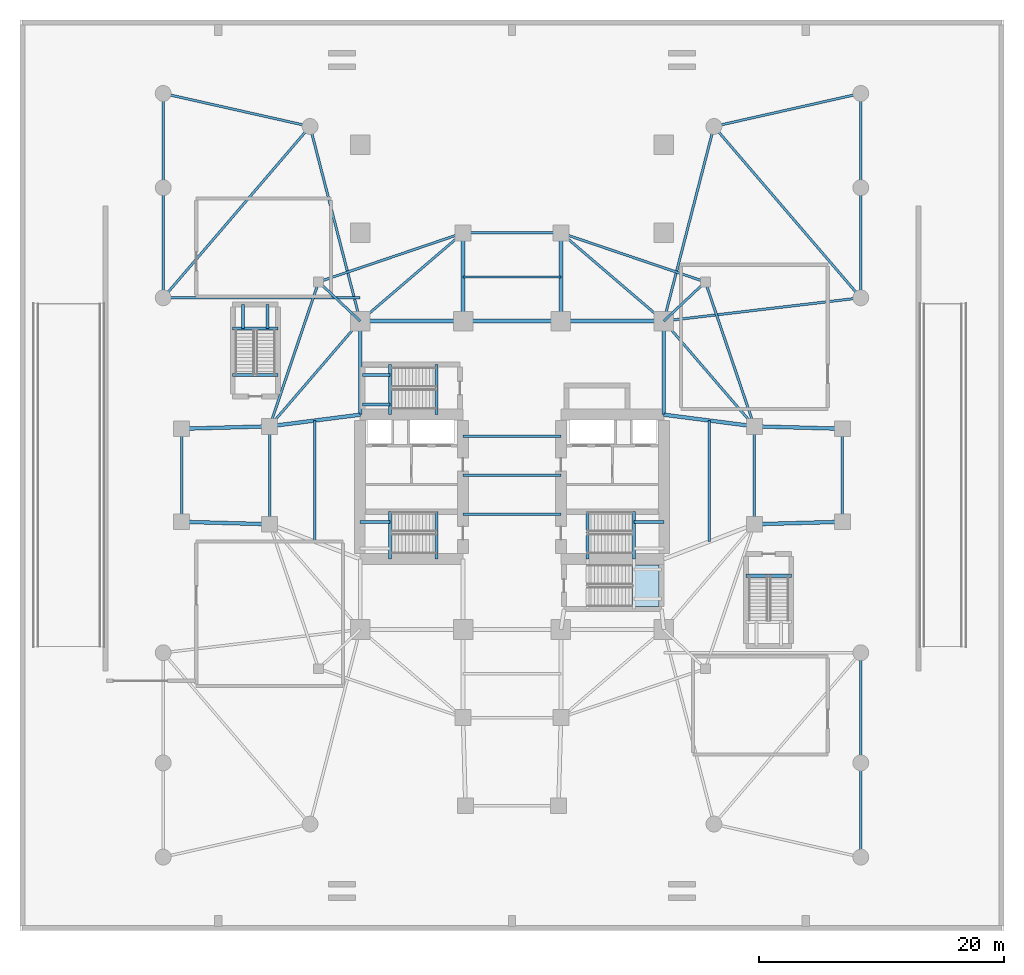
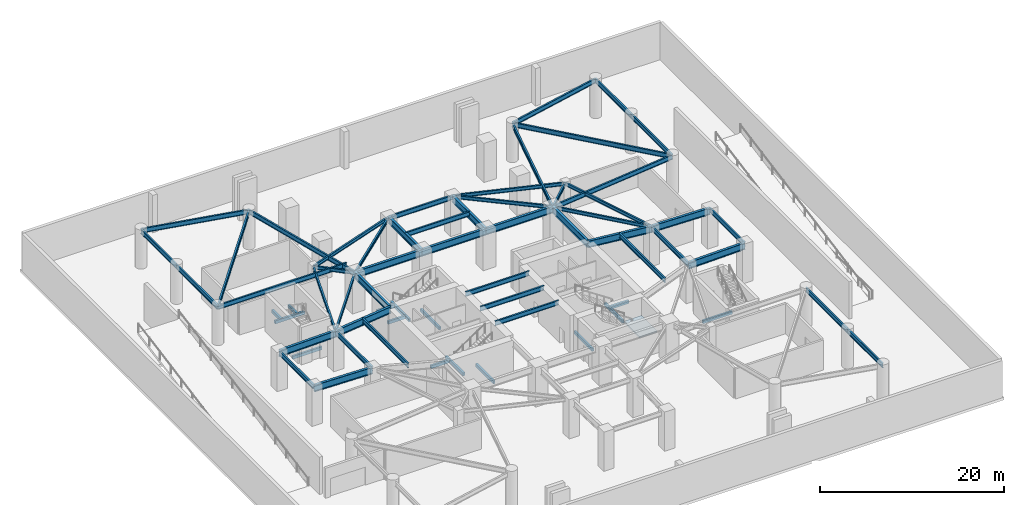
# One storey, part 2 of 12: 63 beams, 1 slab, 1 element without a shape of its own.
"""IFC4 building model written with IfcOpenShell, lengths in metres."""

from ifc_helpers import new_model, si_unit, direction, frame, origin, origin_2d, place, context, subcontext, project, spatial, polyline, rectangle, i_section, outline, extrude, material, layer, layer_set, material_profile, profile_set, type_object, element, aggregate, save


model = new_model("IFC4")

# Units and contexts
model_context = context("Model", 3, precision=1e-05, world=origin(), true_north=direction((0.0, 1.0)))
body_context = subcontext(model_context, "Body", "Model", "MODEL_VIEW")
ifc_project = project(units=[si_unit("LENGTHUNIT", "METRE"), si_unit("AREAUNIT", "SQUARE_METRE"), si_unit("VOLUMEUNIT", "CUBIC_METRE"), si_unit("PLANEANGLEUNIT", "RADIAN"), si_unit("MASSUNIT", "GRAM", prefix="KILO")], contexts=[model_context])

# Site, building, storey
site_placement = place(None, origin())
site = spatial("IfcSite", under=ifc_project, at=site_placement, CompositionType="ELEMENT")
building_placement = place(site_placement, origin())
building = spatial("IfcBuilding", under=site, at=building_placement, Name="Qingluan Cross Belvedere", CompositionType="ELEMENT")
storey_placement = place(building_placement, frame((0.0, 0.0, -5.199951171875)))
storey = spatial("IfcBuildingStorey", under=building, at=storey_placement, Name="B1", CompositionType="ELEMENT", Elevation=-5.199951171875)

# Beams
ifc_material_1 = material(Name="Concrete C45", Category="concrete")
ifc_material_profile_1 = material_profile(ifc_material_1, rectangle(XDim=0.25, YDim=0.39990234375, at=origin_2d()), Name="RC250x400")
ifc_profile_set_1 = profile_set([ifc_material_profile_1], Name="Concrete C45")
beam_type_1 = type_object("IfcBeamType", Name="RC_Lintel_RC250x400", PredefinedType="LINTEL", material=ifc_profile_set_1)
for number, where, z_axis, x_axis, name in (
    (1, (-6.179931640625, -6.85009765625, -0.199951171875), (0.0, 1.0, 0.0), (-1.0, 0.0, 0.0), "Stair ST1 landing beam B1"),
    (2, (6.179931640625, -6.85009765625, -0.199951171875), (0.0, 1.0, 0.0), (-1.0, 0.0, 0.0), "Stair ST2 landing beam B1"),
):
    element("IfcBeam", number, at=place(storey_placement, frame(where, z_axis=z_axis, x_axis=x_axis)), inside=storey, type_object=beam_type_1, Name=name, PredefinedType="LINTEL", context=body_context, shape_type="SweptSolid", body=[
        extrude(rectangle(XDim=0.25, YDim=0.39990234375, at=origin_2d()), origin(), (0.0, 0.0, 1.0), 3.89013671875),
    ])
beam_1_placement = place(storey_placement, frame((-6.179931640625, 4.949951171875, -0.199951171875), z_axis=(0.0, 1.0, 0.0), x_axis=(-1.0, 0.0, 0.0)))
element("IfcBeam", 3, at=beam_1_placement, inside=storey, type_object=beam_type_1, Name="Stair ST3 landing beam B1", PredefinedType="LINTEL", context=body_context, shape_type="SweptSolid", body=[
    extrude(rectangle(XDim=0.25, YDim=0.39990234375, at=origin_2d()), origin(), (0.0, 0.0, 1.0), 4.090087890625),
])
for number, where, z_axis, x_axis, name in (
    (4, (-22.820068359375, 8.2099609375, -0.199951171875), (1.0, 0.0, 0.0), (0.0, 1.0, 0.0), "Stair ST5 landing beam B1"),
    (5, (19.1201171875, -8.2099609375, -0.199951171875), (1.0, 0.0, 0.0), (0.0, 1.0, 0.0), "Stair ST6 landing beam B1"),
):
    element("IfcBeam", number, at=place(storey_placement, frame(where, z_axis=z_axis, x_axis=x_axis)), inside=storey, type_object=beam_type_1, Name=name, PredefinedType="LINTEL", context=body_context, shape_type="SweptSolid", body=[
        extrude(rectangle(XDim=0.25, YDim=0.39990234375, at=origin_2d()), origin(), (0.0, 0.0, 1.0), 3.699951171875),
    ])
beam_2_placement = place(storey_placement, frame((-9.969970703125, -6.85009765625, 2.199951171875), z_axis=(0.0, 1.0, 0.0), x_axis=(-1.0, 0.0, 0.0)))
element("IfcBeam", 6, at=beam_2_placement, inside=storey, type_object=beam_type_1, Name="Stair ST1 beam A B1", PredefinedType="LINTEL", context=body_context, shape_type="SweptSolid", body=[
    extrude(rectangle(XDim=0.25, YDim=0.39990234375, at=origin_2d()), origin(), (0.0, 0.0, 1.0), 3.89013671875),
])
beam_3_placement = place(storey_placement, frame((-12.39990234375, -3.81005859375, 2.199951171875), z_axis=(1.0, 0.0, 0.0), x_axis=(0.0, 1.0, 0.0)))
element("IfcBeam", 7, at=beam_3_placement, inside=storey, type_object=beam_type_1, Name="Stair ST1 beam C B1", PredefinedType="LINTEL", context=body_context, shape_type="SweptSolid", body=[
    extrude(rectangle(XDim=0.25, YDim=0.39990234375, at=origin_2d()), origin(), (0.0, 0.0, 1.0), 2.429931640625),
])
beam_4_placement = place(storey_placement, frame((9.969970703125, -6.85009765625, 2.199951171875), z_axis=(0.0, 1.0, 0.0), x_axis=(-1.0, 0.0, 0.0)))
element("IfcBeam", 8, at=beam_4_placement, inside=storey, type_object=beam_type_1, Name="Stair ST2 beam A B1", PredefinedType="LINTEL", context=body_context, shape_type="SweptSolid", body=[
    extrude(rectangle(XDim=0.25, YDim=0.39990234375, at=origin_2d()), origin(), (0.0, 0.0, 1.0), 3.89013671875),
])
beam_5_placement = place(storey_placement, frame((12.39990234375, -3.81005859375, 2.199951171875), z_axis=(-1.0, 0.0, 0.0), x_axis=(0.0, -1.0, 0.0)))
element("IfcBeam", 9, at=beam_5_placement, inside=storey, type_object=beam_type_1, Name="Stair ST2 beam C B1", PredefinedType="LINTEL", context=body_context, shape_type="SweptSolid", body=[
    extrude(rectangle(XDim=0.25, YDim=0.39990234375, at=origin_2d()), origin(), (0.0, 0.0, 1.0), 2.429931640625),
])
beam_6_placement = place(storey_placement, frame((-9.969970703125, 4.949951171875, 2.199951171875), z_axis=(0.0, 1.0, 0.0), x_axis=(-1.0, 0.0, 0.0)))
element("IfcBeam", 10, at=beam_6_placement, inside=storey, type_object=beam_type_1, Name="Stair ST3 beam A B1", PredefinedType="LINTEL", context=body_context, shape_type="SweptSolid", body=[
    extrude(rectangle(XDim=0.25, YDim=0.39990234375, at=origin_2d()), origin(), (0.0, 0.0, 1.0), 4.090087890625),
])
for number, where, z_axis, x_axis, name in (
    (11, (-12.219970703125, 5.800048828125, 2.199951171875), (1.0, 0.0, 0.0), (0.0, 1.0, 0.0), "Stair ST3 beam B B1"),
    (12, (-12.219970703125, 8.18994140625, 2.199951171875), (1.0, 0.0, 0.0), (0.0, 1.0, 0.0), "Stair ST3 beam C B1"),
):
    element("IfcBeam", number, at=place(storey_placement, frame(where, z_axis=z_axis, x_axis=x_axis)), inside=storey, type_object=beam_type_1, Name=name, PredefinedType="LINTEL", context=body_context, shape_type="SweptSolid", body=[
        extrude(rectangle(XDim=0.25, YDim=0.39990234375, at=origin_2d()), origin(), (0.0, 0.0, 1.0), 2.25),
    ])
beam_7_placement = place(storey_placement, frame((-22.820068359375, 12.0, 2.199951171875), z_axis=(1.0, 0.0, 0.0), x_axis=(0.0, 1.0, 0.0)))
element("IfcBeam", 13, at=beam_7_placement, inside=storey, type_object=beam_type_1, Name="Stair ST5 beam A B1", PredefinedType="LINTEL", context=body_context, shape_type="SweptSolid", body=[
    extrude(rectangle(XDim=0.25, YDim=0.39990234375, at=origin_2d()), origin(), (0.0, 0.0, 1.0), 3.699951171875),
])
for number, where, z_axis, x_axis, name in (
    (14, (-21.969970703125, 13.949951171875, 2.199951171875), (0.0, -1.0, 0.0), (1.0, 0.0, 0.0), "Stair ST5 beam B B1"),
    (15, (-19.969970703125, 13.949951171875, 2.199951171875), (0.0, -1.0, 0.0), (1.0, 0.0, 0.0), "Stair ST5 beam C B1"),
):
    element("IfcBeam", number, at=place(storey_placement, frame(where, z_axis=z_axis, x_axis=x_axis)), inside=storey, type_object=beam_type_1, Name=name, PredefinedType="LINTEL", context=body_context, shape_type="SweptSolid", body=[
        extrude(rectangle(XDim=0.25, YDim=0.39990234375, at=origin_2d()), origin(), (0.0, 0.0, 1.0), 1.949951171875),
    ])
ifc_material_2 = material(Name="Steel Q420GJB", Category="steel")
ifc_material_profile_2 = material_profile(ifc_material_2, i_section(OverallWidth=0.199951171875, OverallDepth=0.449951171875, WebThickness=0.009033203125, FlangeThickness=0.013916015625, FilletRadius=0.01611328125, at=origin_2d()), Name="HN450x200x9x14")
ifc_profile_set_2 = profile_set([ifc_material_profile_2], Name="Steel Q420GJB")
beam_type_2 = type_object("IfcBeamType", Name="Steel_Beam_HN450x200x9x14", PredefinedType="JOIST", material=ifc_profile_set_2)
beam_8_placement = place(storey_placement, frame((12.39990234375, 12.60009765625, 4.724853515625), z_axis=(0.728219948308, 0.685343495546, 0.0), x_axis=(-0.685343495546, 0.728219948308, 0.0)))
element("IfcBeam", 16, at=beam_8_placement, inside=storey, type_object=beam_type_2, Name="Corner beam 1 B1-RNE", PredefinedType="JOIST", context=body_context, shape_type="SweptSolid", body=[
    extrude(i_section(OverallWidth=0.199951171875, OverallDepth=0.449951171875, WebThickness=0.009033203125, FlangeThickness=0.013916015625, FilletRadius=0.01611328125, at=origin_2d()), origin(), (0.0, 0.0, 1.0), 4.669189453125),
])
for number, where, z_axis, x_axis, name in (
    (17, (15.800048828125, 15.800048828125, 4.724853515625), (-0.947066283324, 0.321038089628, 0.0), (-0.321038089628, -0.947066283324, 0.0), "Corner beam 2 B1-RNE"),
    (18, (15.800048828125, 15.800048828125, 4.724853515625), (0.321038089628, -0.947066283324, 0.0), (0.947066283324, 0.321038089628, 0.0), "Corner beam 3 B1-RNE"),
):
    element("IfcBeam", number, at=place(storey_placement, frame(where, z_axis=z_axis, x_axis=x_axis)), inside=storey, type_object=beam_type_2, Name=name, PredefinedType="JOIST", context=body_context, shape_type="SweptSolid", body=[
        extrude(i_section(OverallWidth=0.199951171875, OverallDepth=0.449951171875, WebThickness=0.009033203125, FlangeThickness=0.013916015625, FilletRadius=0.01611328125, at=origin_2d()), origin(), (0.0, 0.0, 1.0), 12.45947265625),
    ])
beam_9_placement = place(storey_placement, frame((12.39990234375, 12.60009765625, 4.724853515625), z_axis=(0.652245077546, -0.75800815221, 0.0), x_axis=(0.75800815221, 0.652245077546, 0.0)))
element("IfcBeam", 19, at=beam_9_placement, inside=storey, type_object=beam_type_2, Name="Corner beam 4 B1-RNE", PredefinedType="JOIST", context=body_context, shape_type="SweptSolid", body=[
    extrude(i_section(OverallWidth=0.199951171875, OverallDepth=0.449951171875, WebThickness=0.009033203125, FlangeThickness=0.013916015625, FilletRadius=0.01611328125, at=origin_2d()), origin(), (0.0, 0.0, 1.0), 11.345703125),
])
beam_10_placement = place(storey_placement, frame((12.39990234375, 12.60009765625, 4.724853515625), z_axis=(-0.759255044656, 0.650793190779, 0.0), x_axis=(-0.650793190779, -0.759255044656, 0.0)))
element("IfcBeam", 20, at=beam_10_placement, inside=storey, type_object=beam_type_2, Name="Corner beam 5 B1-RNE", PredefinedType="JOIST", context=body_context, shape_type="SweptSolid", body=[
    extrude(i_section(OverallWidth=0.199951171875, OverallDepth=0.449951171875, WebThickness=0.009033203125, FlangeThickness=0.013916015625, FilletRadius=0.01611328125, at=origin_2d()), origin(), (0.0, 0.0, 1.0), 11.063232421875),
])
beam_11_placement = place(storey_placement, frame((-12.39990234375, 12.60009765625, 4.724853515625), z_axis=(-0.728219948308, 0.685343495546, 0.0), x_axis=(-0.685343495546, -0.728219948308, 0.0)))
element("IfcBeam", 21, at=beam_11_placement, inside=storey, type_object=beam_type_2, Name="Corner beam 1 B1-RNW", PredefinedType="JOIST", context=body_context, shape_type="SweptSolid", body=[
    extrude(i_section(OverallWidth=0.199951171875, OverallDepth=0.449951171875, WebThickness=0.009033203125, FlangeThickness=0.013916015625, FilletRadius=0.01611328125, at=origin_2d()), origin(), (0.0, 0.0, 1.0), 4.669189453125),
])
for number, where, z_axis, x_axis, name in (
    (22, (-15.800048828125, 15.800048828125, 4.724853515625), (0.947066283324, 0.321038089628, 0.0), (-0.321038089628, 0.947066283324, 0.0), "Corner beam 2 B1-RNW"),
    (23, (-15.800048828125, 15.800048828125, 4.724853515625), (-0.321038089628, -0.947066283324, 0.0), (0.947066283324, -0.321038089628, 0.0), "Corner beam 3 B1-RNW"),
):
    element("IfcBeam", number, at=place(storey_placement, frame(where, z_axis=z_axis, x_axis=x_axis)), inside=storey, type_object=beam_type_2, Name=name, PredefinedType="JOIST", context=body_context, shape_type="SweptSolid", body=[
        extrude(i_section(OverallWidth=0.199951171875, OverallDepth=0.449951171875, WebThickness=0.009033203125, FlangeThickness=0.013916015625, FilletRadius=0.01611328125, at=origin_2d()), origin(), (0.0, 0.0, 1.0), 12.45947265625),
    ])
beam_12_placement = place(storey_placement, frame((-12.39990234375, 12.60009765625, 4.724853515625), z_axis=(-0.652245077546, -0.75800815221, 0.0), x_axis=(0.75800815221, -0.652245077546, 0.0)))
element("IfcBeam", 24, at=beam_12_placement, inside=storey, type_object=beam_type_2, Name="Corner beam 4 B1-RNW", PredefinedType="JOIST", context=body_context, shape_type="SweptSolid", body=[
    extrude(i_section(OverallWidth=0.199951171875, OverallDepth=0.449951171875, WebThickness=0.009033203125, FlangeThickness=0.013916015625, FilletRadius=0.01611328125, at=origin_2d()), origin(), (0.0, 0.0, 1.0), 11.345703125),
])
beam_13_placement = place(storey_placement, frame((-12.39990234375, 12.60009765625, 4.724853515625), z_axis=(0.759255044656, 0.650793190779, 0.0), x_axis=(-0.650793190779, 0.759255044656, 0.0)))
element("IfcBeam", 25, at=beam_13_placement, inside=storey, type_object=beam_type_2, Name="Corner beam 5 B1-RNW", PredefinedType="JOIST", context=body_context, shape_type="SweptSolid", body=[
    extrude(i_section(OverallWidth=0.199951171875, OverallDepth=0.449951171875, WebThickness=0.009033203125, FlangeThickness=0.013916015625, FilletRadius=0.01611328125, at=origin_2d()), origin(), (0.0, 0.0, 1.0), 11.063232421875),
])
ifc_material_3 = material(Name="Steel Q420GJB", Category="steel")
ifc_material_profile_3 = material_profile(ifc_material_3, i_section(OverallWidth=0.199951171875, OverallDepth=0.60009765625, WebThickness=0.010986328125, FlangeThickness=0.01708984375, FilletRadius=0.01806640625, at=origin_2d()), Name="HN600x200x11x17")
ifc_profile_set_3 = profile_set([ifc_material_profile_3], Name="Steel Q420GJB")
beam_type_3 = type_object("IfcBeamType", Name="Steel_Beam_HN600x200x11x17", PredefinedType="JOIST", material=ifc_profile_set_3)
for number, where, z_axis, x_axis, name in (
    (26, (-4.0, -3.199951171875, 4.64990234375), (1.0, 0.0, 0.0), (0.0, 1.0, 0.0), "Hall beam B1-CH1"),
    (27, (-4.0, 0.0, 4.64990234375), (1.0, 0.0, 0.0), (0.0, 1.0, 0.0), "Hall beam B1-CH2"),
    (28, (-4.0, 3.199951171875, 4.64990234375), (1.0, 0.0, 0.0), (0.0, 1.0, 0.0), "Hall beam B1-CH3"),
    (29, (19.800048828125, -4.0, 4.64990234375), (0.0, 1.0, 0.0), (-1.0, 0.0, 0.0), "Arm E tie B1"),
):
    element("IfcBeam", number, at=place(storey_placement, frame(where, z_axis=z_axis, x_axis=x_axis)), inside=storey, type_object=beam_type_3, Name=name, PredefinedType="JOIST", context=body_context, shape_type="SweptSolid", body=[
        extrude(i_section(OverallWidth=0.199951171875, OverallDepth=0.60009765625, WebThickness=0.010986328125, FlangeThickness=0.01708984375, FilletRadius=0.01806640625, at=origin_2d()), origin(), (0.0, 0.0, 1.0), 8.0),
    ])
beam_14_placement = place(storey_placement, frame((16.10009765625, -5.425048828125, 4.64990234375), z_axis=(0.0, 1.0, 0.0), x_axis=(-1.0, 0.0, 0.0)))
element("IfcBeam", 30, at=beam_14_placement, inside=storey, type_object=beam_type_3, Name="Arm E beam B1", PredefinedType="JOIST", context=body_context, shape_type="SweptSolid", body=[
    extrude(i_section(OverallWidth=0.199951171875, OverallDepth=0.60009765625, WebThickness=0.010986328125, FlangeThickness=0.01708984375, FilletRadius=0.01806640625, at=origin_2d()), origin(), (0.0, 0.0, 1.0), 9.900146484375),
])
beam_15_placement = place(storey_placement, frame((27.0, -3.800048828125, 4.64990234375), z_axis=(0.0, 1.0, 0.0), x_axis=(-1.0, 0.0, 0.0)))
element("IfcBeam", 31, at=beam_15_placement, inside=storey, type_object=beam_type_3, Name="Arm E tip transverse beam B1", PredefinedType="JOIST", context=body_context, shape_type="SweptSolid", body=[
    extrude(i_section(OverallWidth=0.199951171875, OverallDepth=0.60009765625, WebThickness=0.010986328125, FlangeThickness=0.01708984375, FilletRadius=0.01806640625, at=origin_2d()), origin(), (0.0, 0.0, 1.0), 7.60009765625),
])
beam_16_placement = place(storey_placement, frame((-19.800048828125, -4.0, 4.64990234375), z_axis=(0.0, 1.0, 0.0), x_axis=(-1.0, 0.0, 0.0)))
element("IfcBeam", 32, at=beam_16_placement, inside=storey, type_object=beam_type_3, Name="Arm W tie B1", PredefinedType="JOIST", context=body_context, shape_type="SweptSolid", body=[
    extrude(i_section(OverallWidth=0.199951171875, OverallDepth=0.60009765625, WebThickness=0.010986328125, FlangeThickness=0.01708984375, FilletRadius=0.01806640625, at=origin_2d()), origin(), (0.0, 0.0, 1.0), 8.0),
])
beam_17_placement = place(storey_placement, frame((-16.10009765625, -5.425048828125, 4.64990234375), z_axis=(0.0, 1.0, 0.0), x_axis=(-1.0, 0.0, 0.0)))
element("IfcBeam", 33, at=beam_17_placement, inside=storey, type_object=beam_type_3, Name="Arm W beam B1", PredefinedType="JOIST", context=body_context, shape_type="SweptSolid", body=[
    extrude(i_section(OverallWidth=0.199951171875, OverallDepth=0.60009765625, WebThickness=0.010986328125, FlangeThickness=0.01708984375, FilletRadius=0.01806640625, at=origin_2d()), origin(), (0.0, 0.0, 1.0), 9.900146484375),
])
beam_18_placement = place(storey_placement, frame((-27.0, -3.800048828125, 4.64990234375), z_axis=(0.0, 1.0, 0.0), x_axis=(-1.0, 0.0, 0.0)))
element("IfcBeam", 34, at=beam_18_placement, inside=storey, type_object=beam_type_3, Name="Arm W tip transverse beam B1", PredefinedType="JOIST", context=body_context, shape_type="SweptSolid", body=[
    extrude(i_section(OverallWidth=0.199951171875, OverallDepth=0.60009765625, WebThickness=0.010986328125, FlangeThickness=0.01708984375, FilletRadius=0.01806640625, at=origin_2d()), origin(), (0.0, 0.0, 1.0), 7.60009765625),
])
for number, where, z_axis, x_axis, name in (
    (35, (-4.0, 19.800048828125, 4.64990234375), (1.0, 0.0, 0.0), (0.0, 1.0, 0.0), "Arm N tie B1"),
    (36, (-4.0, 16.199951171875, 4.64990234375), (1.0, 0.0, 0.0), (0.0, 1.0, 0.0), "Arm N beam B1"),
):
    element("IfcBeam", number, at=place(storey_placement, frame(where, z_axis=z_axis, x_axis=x_axis)), inside=storey, type_object=beam_type_3, Name=name, PredefinedType="JOIST", context=body_context, shape_type="SweptSolid", body=[
        extrude(i_section(OverallWidth=0.199951171875, OverallDepth=0.60009765625, WebThickness=0.010986328125, FlangeThickness=0.01708984375, FilletRadius=0.01806640625, at=origin_2d()), origin(), (0.0, 0.0, 1.0), 8.0),
    ])
beam_19_placement = place(storey_placement, frame((-12.39990234375, 14.5, 4.64990234375), z_axis=(-1.0, 0.0, 0.0), x_axis=(0.0, -1.0, 0.0)))
element("IfcBeam", 37, at=beam_19_placement, inside=storey, type_object=beam_type_3, Name="Podium quadrant tie beam B1-WNH1", PredefinedType="JOIST", context=body_context, shape_type="SweptSolid", body=[
    extrude(i_section(OverallWidth=0.199951171875, OverallDepth=0.60009765625, WebThickness=0.010986328125, FlangeThickness=0.01708984375, FilletRadius=0.01806640625, at=origin_2d()), origin(), (0.0, 0.0, 1.0), 16.10009765625),
])
beam_20_placement = place(storey_placement, frame((-12.39990234375, 12.60009765625, 4.64990234375), z_axis=(-0.249700840873, 0.968323029814, 0.0), x_axis=(-0.968323029814, -0.249700840873, 0.0)))
element("IfcBeam", 38, at=beam_20_placement, inside=storey, type_object=beam_type_3, Name="Podium quadrant tie beam B1-WNH3", PredefinedType="JOIST", context=body_context, shape_type="SweptSolid", body=[
    extrude(i_section(OverallWidth=0.199951171875, OverallDepth=0.60009765625, WebThickness=0.010986328125, FlangeThickness=0.01708984375, FilletRadius=0.01806640625, at=origin_2d()), origin(), (0.0, 0.0, 1.0), 16.419921875),
])
beam_21_placement = place(storey_placement, frame((-28.5, 14.5, 4.64990234375), z_axis=(0.0, 1.0, 0.0), x_axis=(-1.0, 0.0, 0.0)))
element("IfcBeam", 39, at=beam_21_placement, inside=storey, type_object=beam_type_3, Name="Podium quadrant tie beam B1-WN12", PredefinedType="JOIST", context=body_context, shape_type="SweptSolid", body=[
    extrude(i_section(OverallWidth=0.199951171875, OverallDepth=0.60009765625, WebThickness=0.010986328125, FlangeThickness=0.01708984375, FilletRadius=0.01806640625, at=origin_2d()), origin(), (0.0, 0.0, 1.0), 9.0),
])
beam_22_placement = place(storey_placement, frame((-28.5, 23.5, 4.64990234375), z_axis=(0.0, 1.0, 0.0), x_axis=(-1.0, 0.0, 0.0)))
element("IfcBeam", 40, at=beam_22_placement, inside=storey, type_object=beam_type_3, Name="Podium quadrant tie beam B1-WN24", PredefinedType="JOIST", context=body_context, shape_type="SweptSolid", body=[
    extrude(i_section(OverallWidth=0.199951171875, OverallDepth=0.60009765625, WebThickness=0.010986328125, FlangeThickness=0.01708984375, FilletRadius=0.01806640625, at=origin_2d()), origin(), (0.0, 0.0, 1.0), 7.699951171875),
])
beam_23_placement = place(storey_placement, frame((-16.5, 28.5, 4.64990234375), z_axis=(-0.975610606249, 0.219508416636, 0.0), x_axis=(-0.219508416636, -0.975610606249, 0.0)))
element("IfcBeam", 41, at=beam_23_placement, inside=storey, type_object=beam_type_3, Name="Podium quadrant tie beam B1-WN34", PredefinedType="JOIST", context=body_context, shape_type="SweptSolid", body=[
    extrude(i_section(OverallWidth=0.199951171875, OverallDepth=0.60009765625, WebThickness=0.010986328125, FlangeThickness=0.01708984375, FilletRadius=0.01806640625, at=origin_2d()), origin(), (0.0, 0.0, 1.0), 12.300048828125),
])
beam_24_placement = place(storey_placement, frame((-28.5, 14.5, 4.64990234375), z_axis=(0.650791373456, 0.759256602365, 0.0), x_axis=(-0.759256602365, 0.650791373456, 0.0)))
element("IfcBeam", 42, at=beam_24_placement, inside=storey, type_object=beam_type_3, Name="Podium quadrant tie beam B1-WN13", PredefinedType="JOIST", context=body_context, shape_type="SweptSolid", body=[
    extrude(i_section(OverallWidth=0.199951171875, OverallDepth=0.60009765625, WebThickness=0.010986328125, FlangeThickness=0.01708984375, FilletRadius=0.01806640625, at=origin_2d()), origin(), (0.0, 0.0, 1.0), 18.439208984375),
])
beam_25_placement = place(storey_placement, frame((28.5, -14.5, 4.64990234375), z_axis=(0.0, -1.0, 0.0), x_axis=(1.0, 0.0, 0.0)))
element("IfcBeam", 43, at=beam_25_placement, inside=storey, type_object=beam_type_3, Name="Podium quadrant tie beam B1-ES12", PredefinedType="JOIST", context=body_context, shape_type="SweptSolid", body=[
    extrude(i_section(OverallWidth=0.199951171875, OverallDepth=0.60009765625, WebThickness=0.010986328125, FlangeThickness=0.01708984375, FilletRadius=0.01806640625, at=origin_2d()), origin(), (0.0, 0.0, 1.0), 9.0),
])
beam_26_placement = place(storey_placement, frame((28.5, -23.5, 4.64990234375), z_axis=(0.0, -1.0, 0.0), x_axis=(1.0, 0.0, 0.0)))
element("IfcBeam", 44, at=beam_26_placement, inside=storey, type_object=beam_type_3, Name="Podium quadrant tie beam B1-ES24", PredefinedType="JOIST", context=body_context, shape_type="SweptSolid", body=[
    extrude(i_section(OverallWidth=0.199951171875, OverallDepth=0.60009765625, WebThickness=0.010986328125, FlangeThickness=0.01708984375, FilletRadius=0.01806640625, at=origin_2d()), origin(), (0.0, 0.0, 1.0), 7.699951171875),
])
beam_27_placement = place(storey_placement, frame((12.39990234375, 12.60009765625, 4.64990234375), z_axis=(0.99310921872, 0.117192489917, 0.0), x_axis=(-0.117192489917, 0.99310921872, 0.0)))
element("IfcBeam", 45, at=beam_27_placement, inside=storey, type_object=beam_type_3, Name="Podium quadrant tie beam B1-ENH1", PredefinedType="JOIST", context=body_context, shape_type="SweptSolid", body=[
    extrude(i_section(OverallWidth=0.199951171875, OverallDepth=0.60009765625, WebThickness=0.010986328125, FlangeThickness=0.01708984375, FilletRadius=0.01806640625, at=origin_2d()), origin(), (0.0, 0.0, 1.0), 16.2119140625),
])
beam_28_placement = place(storey_placement, frame((12.39990234375, 12.60009765625, 4.64990234375), z_axis=(0.249700840873, 0.968323029814, 0.0), x_axis=(-0.968323029814, 0.249700840873, 0.0)))
element("IfcBeam", 46, at=beam_28_placement, inside=storey, type_object=beam_type_3, Name="Podium quadrant tie beam B1-ENH3", PredefinedType="JOIST", context=body_context, shape_type="SweptSolid", body=[
    extrude(i_section(OverallWidth=0.199951171875, OverallDepth=0.60009765625, WebThickness=0.010986328125, FlangeThickness=0.01708984375, FilletRadius=0.01806640625, at=origin_2d()), origin(), (0.0, 0.0, 1.0), 16.419921875),
])
beam_29_placement = place(storey_placement, frame((28.5, 14.5, 4.64990234375), z_axis=(0.0, 1.0, 0.0), x_axis=(-1.0, 0.0, 0.0)))
element("IfcBeam", 47, at=beam_29_placement, inside=storey, type_object=beam_type_3, Name="Podium quadrant tie beam B1-EN12", PredefinedType="JOIST", context=body_context, shape_type="SweptSolid", body=[
    extrude(i_section(OverallWidth=0.199951171875, OverallDepth=0.60009765625, WebThickness=0.010986328125, FlangeThickness=0.01708984375, FilletRadius=0.01806640625, at=origin_2d()), origin(), (0.0, 0.0, 1.0), 9.0),
])
beam_30_placement = place(storey_placement, frame((28.5, 23.5, 4.64990234375), z_axis=(0.0, 1.0, 0.0), x_axis=(-1.0, 0.0, 0.0)))
element("IfcBeam", 48, at=beam_30_placement, inside=storey, type_object=beam_type_3, Name="Podium quadrant tie beam B1-EN24", PredefinedType="JOIST", context=body_context, shape_type="SweptSolid", body=[
    extrude(i_section(OverallWidth=0.199951171875, OverallDepth=0.60009765625, WebThickness=0.010986328125, FlangeThickness=0.01708984375, FilletRadius=0.01806640625, at=origin_2d()), origin(), (0.0, 0.0, 1.0), 7.699951171875),
])
beam_31_placement = place(storey_placement, frame((16.5, 28.5, 4.64990234375), z_axis=(0.975610606249, 0.219508416636, 0.0), x_axis=(-0.219508416636, 0.975610606249, 0.0)))
element("IfcBeam", 49, at=beam_31_placement, inside=storey, type_object=beam_type_3, Name="Podium quadrant tie beam B1-EN34", PredefinedType="JOIST", context=body_context, shape_type="SweptSolid", body=[
    extrude(i_section(OverallWidth=0.199951171875, OverallDepth=0.60009765625, WebThickness=0.010986328125, FlangeThickness=0.01708984375, FilletRadius=0.01806640625, at=origin_2d()), origin(), (0.0, 0.0, 1.0), 12.300048828125),
])
beam_32_placement = place(storey_placement, frame((28.5, 14.5, 4.64990234375), z_axis=(-0.650791373456, 0.759256602365, 0.0), x_axis=(-0.759256602365, -0.650791373456, 0.0)))
element("IfcBeam", 50, at=beam_32_placement, inside=storey, type_object=beam_type_3, Name="Podium quadrant tie beam B1-EN13", PredefinedType="JOIST", context=body_context, shape_type="SweptSolid", body=[
    extrude(i_section(OverallWidth=0.199951171875, OverallDepth=0.60009765625, WebThickness=0.010986328125, FlangeThickness=0.01708984375, FilletRadius=0.01806640625, at=origin_2d()), origin(), (0.0, 0.0, 1.0), 18.439208984375),
])
ifc_material_4 = material(Name="Steel Q420GJB", Category="steel")
ifc_material_profile_4 = material_profile(ifc_material_4, i_section(OverallWidth=0.300048828125, OverallDepth=0.89990234375, WebThickness=0.0166015625, FlangeThickness=0.030029296875, FilletRadius=0.030029296875, at=origin_2d()), Name="HEB900")
ifc_profile_set_4 = profile_set([ifc_material_profile_4], Name="Steel Q420GJB")
beam_type_4 = type_object("IfcBeamType", Name="Steel_Girder_HEB900", PredefinedType="USERDEFINED", material=ifc_profile_set_4)
beam_33_placement = place(storey_placement, frame((-12.39990234375, 12.60009765625, 4.5), z_axis=(1.0, 0.0, 0.0), x_axis=(0.0, 1.0, 0.0)))
element("IfcBeam", 51, at=beam_33_placement, inside=storey, type_object=beam_type_4, Name="Hub girder B1-HG-N1", ObjectType="GIRDER", PredefinedType="USERDEFINED", context=body_context, shape_type="SweptSolid", body=[
    extrude(i_section(OverallWidth=0.300048828125, OverallDepth=0.89990234375, WebThickness=0.0166015625, FlangeThickness=0.030029296875, FilletRadius=0.030029296875, at=origin_2d()), origin(), (0.0, 0.0, 1.0), 8.39990234375),
])
beam_34_placement = place(storey_placement, frame((-4.0, 12.60009765625, 4.5), z_axis=(1.0, 0.0, 0.0), x_axis=(0.0, 1.0, 0.0)))
element("IfcBeam", 52, at=beam_34_placement, inside=storey, type_object=beam_type_4, Name="Hub girder B1-HG-N2", ObjectType="GIRDER", PredefinedType="USERDEFINED", context=body_context, shape_type="SweptSolid", body=[
    extrude(i_section(OverallWidth=0.300048828125, OverallDepth=0.89990234375, WebThickness=0.0166015625, FlangeThickness=0.030029296875, FilletRadius=0.030029296875, at=origin_2d()), origin(), (0.0, 0.0, 1.0), 8.0),
])
beam_35_placement = place(storey_placement, frame((4.0, 12.60009765625, 4.5), z_axis=(1.0, 0.0, 0.0), x_axis=(0.0, 1.0, 0.0)))
element("IfcBeam", 53, at=beam_35_placement, inside=storey, type_object=beam_type_4, Name="Hub girder B1-HG-N3", ObjectType="GIRDER", PredefinedType="USERDEFINED", context=body_context, shape_type="SweptSolid", body=[
    extrude(i_section(OverallWidth=0.300048828125, OverallDepth=0.89990234375, WebThickness=0.0166015625, FlangeThickness=0.030029296875, FilletRadius=0.030029296875, at=origin_2d()), origin(), (0.0, 0.0, 1.0), 8.39990234375),
])
for number, where, z_axis, x_axis, name in (
    (54, (-12.39990234375, 4.949951171875, 4.5), (0.0, 1.0, 0.0), (-1.0, 0.0, 0.0), "Hub girder B1-HG-W2"),
    (55, (12.39990234375, 4.949951171875, 4.5), (0.0, 1.0, 0.0), (-1.0, 0.0, 0.0), "Hub girder B1-HG-E2"),
):
    element("IfcBeam", number, at=place(storey_placement, frame(where, z_axis=z_axis, x_axis=x_axis)), inside=storey, type_object=beam_type_4, Name=name, ObjectType="GIRDER", PredefinedType="USERDEFINED", context=body_context, shape_type="SweptSolid", body=[
        extrude(i_section(OverallWidth=0.300048828125, OverallDepth=0.89990234375, WebThickness=0.0166015625, FlangeThickness=0.030029296875, FilletRadius=0.030029296875, at=origin_2d()), origin(), (0.0, 0.0, 1.0), 7.650146484375),
    ])
beam_36_placement = place(storey_placement, frame((12.39990234375, 4.949951171875, 4.5), z_axis=(0.991861120628, -0.12732445714, 0.0), x_axis=(0.12732445714, 0.991861120628, 0.0)))
element("IfcBeam", 56, at=beam_36_placement, inside=storey, type_object=beam_type_4, Name="Arm E radial girder B B1", ObjectType="GIRDER", PredefinedType="USERDEFINED", context=body_context, shape_type="SweptSolid", body=[
    extrude(i_section(OverallWidth=0.300048828125, OverallDepth=0.89990234375, WebThickness=0.0166015625, FlangeThickness=0.030029296875, FilletRadius=0.030029296875, at=origin_2d()), origin(), (0.0, 0.0, 1.0), 7.4609375),
])
for number, where, z_axis, x_axis, name in (
    (57, (19.800048828125, -4.0, 4.5), (0.999614603568, 0.027760481514, 0.0), (-0.027760481514, 0.999614603568, 0.0), "Arm E outer radial girder A B1"),
    (58, (19.800048828125, 4.0, 4.5), (0.999614603568, -0.027760481514, 0.0), (0.027760481514, 0.999614603568, 0.0), "Arm E outer radial girder B B1"),
):
    element("IfcBeam", number, at=place(storey_placement, frame(where, z_axis=z_axis, x_axis=x_axis)), inside=storey, type_object=beam_type_4, Name=name, ObjectType="GIRDER", PredefinedType="USERDEFINED", context=body_context, shape_type="SweptSolid", body=[
        extrude(i_section(OverallWidth=0.300048828125, OverallDepth=0.89990234375, WebThickness=0.0166015625, FlangeThickness=0.030029296875, FilletRadius=0.030029296875, at=origin_2d()), origin(), (0.0, 0.0, 1.0), 7.20263671875),
    ])
beam_37_placement = place(storey_placement, frame((-12.39990234375, 4.949951171875, 4.5), z_axis=(-0.991861120628, -0.12732445714, 0.0), x_axis=(0.12732445714, -0.991861120628, 0.0)))
element("IfcBeam", 59, at=beam_37_placement, inside=storey, type_object=beam_type_4, Name="Arm W radial girder B B1", ObjectType="GIRDER", PredefinedType="USERDEFINED", context=body_context, shape_type="SweptSolid", body=[
    extrude(i_section(OverallWidth=0.300048828125, OverallDepth=0.89990234375, WebThickness=0.0166015625, FlangeThickness=0.030029296875, FilletRadius=0.030029296875, at=origin_2d()), origin(), (0.0, 0.0, 1.0), 7.4609375),
])
for number, where, z_axis, x_axis, name in (
    (60, (-19.800048828125, -4.0, 4.5), (-0.999614603568, 0.027760481514, 0.0), (-0.027760481514, -0.999614603568, 0.0), "Arm W outer radial girder A B1"),
    (61, (-19.800048828125, 4.0, 4.5), (-0.999614603568, -0.027760481514, 0.0), (0.027760481514, -0.999614603568, 0.0), "Arm W outer radial girder B B1"),
):
    element("IfcBeam", number, at=place(storey_placement, frame(where, z_axis=z_axis, x_axis=x_axis)), inside=storey, type_object=beam_type_4, Name=name, ObjectType="GIRDER", PredefinedType="USERDEFINED", context=body_context, shape_type="SweptSolid", body=[
        extrude(i_section(OverallWidth=0.300048828125, OverallDepth=0.89990234375, WebThickness=0.0166015625, FlangeThickness=0.030029296875, FilletRadius=0.030029296875, at=origin_2d()), origin(), (0.0, 0.0, 1.0), 7.20263671875),
    ])
for number, where, z_axis, x_axis, name in (
    (62, (-4.0, 12.60009765625, 4.5), (0.0, 1.0, 0.0), (-1.0, 0.0, 0.0), "Arm N radial girder A B1"),
    (63, (4.0, 12.60009765625, 4.5), (0.0, 1.0, 0.0), (-1.0, 0.0, 0.0), "Arm N radial girder B B1"),
):
    element("IfcBeam", number, at=place(storey_placement, frame(where, z_axis=z_axis, x_axis=x_axis)), inside=storey, type_object=beam_type_4, Name=name, ObjectType="GIRDER", PredefinedType="USERDEFINED", context=body_context, shape_type="SweptSolid", body=[
        extrude(i_section(OverallWidth=0.300048828125, OverallDepth=0.89990234375, WebThickness=0.0166015625, FlangeThickness=0.030029296875, FilletRadius=0.030029296875, at=origin_2d()), origin(), (0.0, 0.0, 1.0), 7.199951171875),
    ])

# Stair, slab
ifc_material_5 = material(Name="Concrete C40", Category="concrete")
stair_type = type_object("IfcStairType", Name="CoreDoglegStair_1620", PredefinedType="HALF_TURN_STAIR", material=ifc_material_5)
stair_placement = place(storey_placement, origin())
stair = element("IfcStair", 64, at=stair_placement, inside=storey, type_object=stair_type, Name="B1 ST4", PredefinedType="HALF_TURN_STAIR")
ifc_material_6 = material(Name="Concrete C40", Category="concrete")
ifc_layer = layer(ifc_material_6, 0.179931640625, Name="StairLandingSlab_180")
ifc_layer_set = layer_set([ifc_layer], Name="Concrete C40")
slab_type = type_object("IfcSlabType", Name="StairLandingSlab_180", PredefinedType="LANDING", material=ifc_layer_set)
slab_placement = place(storey_placement, frame((0.0, 0.0, 2.39990234375)))
slab = element("IfcSlab", 65, at=slab_placement, type_object=slab_type, Name="ST4 landing 1", PredefinedType="LANDING", context=body_context, shape_type="SweptSolid", body=[
    extrude(outline(polyline([(9.820068359375, -10.719970703125), (12.0, -10.719970703125), (12.0, -7.320068359375), (9.820068359375, -7.320068359375), (9.820068359375, -10.719970703125)])), origin(), (0.0, 0.0, 1.0), 0.199951171875),
])
aggregate(stair, [slab])

save(model, "model.ifc")
